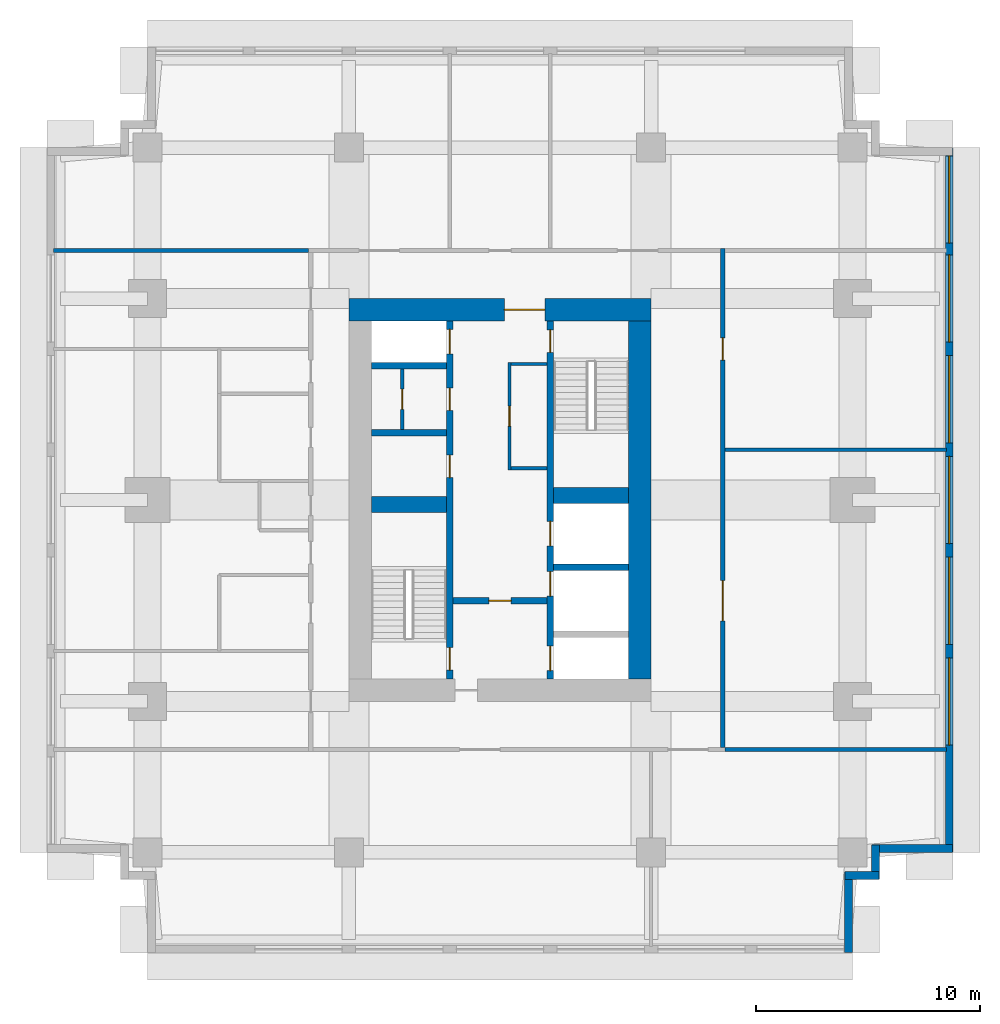
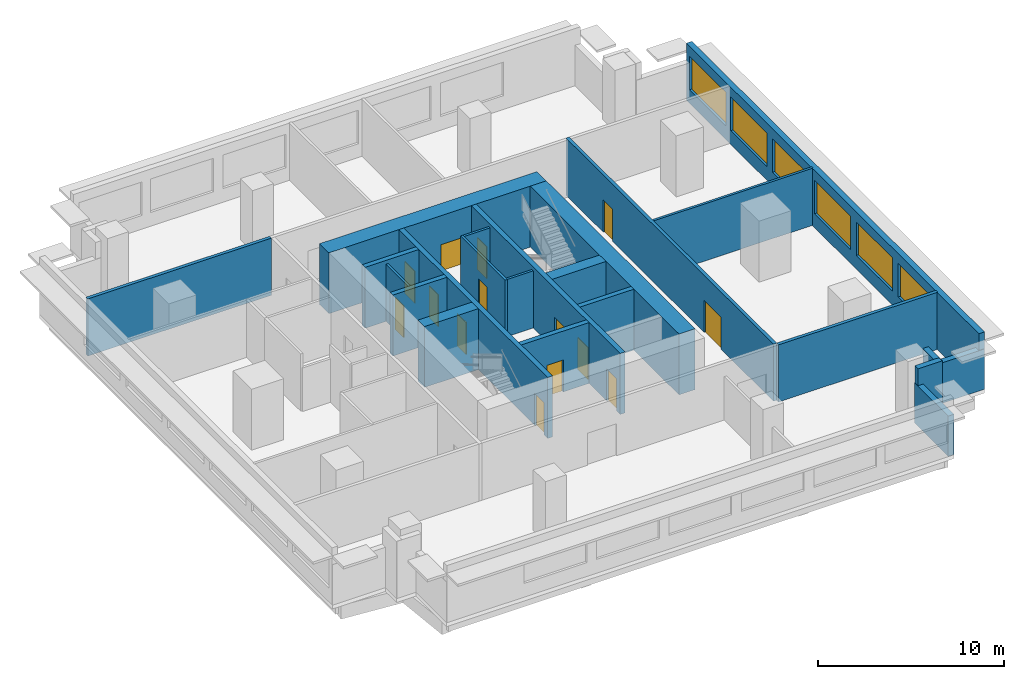
# One storey, part 3 of 5: 23 walls, 14 doors, 6 windows, 20 openings.
"""IFC4 building model written with IfcOpenShell, lengths in metres."""

from ifc_helpers import new_model, si_unit, direction, frame, frame_2d, origin, place, context, subcontext, project, spatial, rectangle, extrude, material, layer, layer_set, type_object, element, fill, save


model = new_model("IFC4")

# Units and contexts
model_context = context("Model", 3, precision=1e-05, world=origin(), true_north=direction((0.0, 1.0)))
body_context = subcontext(model_context, "Body", "Model", "MODEL_VIEW")
ifc_project = project(units=[si_unit("LENGTHUNIT", "METRE"), si_unit("AREAUNIT", "SQUARE_METRE"), si_unit("VOLUMEUNIT", "CUBIC_METRE"), si_unit("PLANEANGLEUNIT", "RADIAN"), si_unit("MASSUNIT", "GRAM", prefix="KILO")], contexts=[model_context])

# Site, building, storey
site_placement = place(None, origin())
site = spatial("IfcSite", under=ifc_project, at=site_placement, CompositionType="ELEMENT")
building_placement = place(site_placement, origin())
building = spatial("IfcBuilding", under=site, at=building_placement, Name="Namib Vertical Campus", CompositionType="ELEMENT")
storey_placement = place(building_placement, frame((0.0, 0.0, 285.0)))
storey = spatial("IfcBuildingStorey", under=building, at=storey_placement, Name="L67", CompositionType="ELEMENT", Elevation=285.0)

# Wall, openings, doors
ifc_material_1 = material(Name="Concrete C60/75", Category="concrete")
ifc_layer_1 = layer(ifc_material_1, 0.300048828125)
ifc_layer_set_1 = layer_set([ifc_layer_1], Name="Concrete C60/75")
wall_type_1 = type_object("IfcWallType", Name="Core inner wall 300", PredefinedType="SHEAR", material=ifc_layer_set_1)
wall_1_placement = place(storey_placement, frame((18.0, 12.25, 0.0), z_axis=(0.0, 0.0, 1.0), x_axis=(0.0, 1.0, 0.0)))
wall_1 = element("IfcWall", 1, at=wall_1_placement, inside=storey, type_object=wall_type_1, Name="Core inner wall A L67 W1", PredefinedType="SHEAR", context=body_context, shape_type="SweptSolid", body=[
    extrude(rectangle(XDim=16.0, YDim=0.300048828125, at=frame_2d((8.0, 0.0))), origin(), (0.0, 0.0, 1.0), 4.0),
])
opening_1_placement = place(wall_1_placement, frame((0.39990234375, 0.0, 0.0)))
opening_1 = element("IfcOpeningElement", 2, at=opening_1_placement, cuts=wall_1, Name="Opening FD1", PredefinedType="OPENING", context=body_context, shape_type="SweptSolid", body=[
    extrude(rectangle(XDim=1.0, YDim=2.10009765625, at=frame_2d((0.5, 1.050048828125))), frame((0.0, 0.159912109375, 0.0), z_axis=(0.0, -1.0, 0.0), x_axis=(1.0, 0.0, 0.0)), (0.0, 0.0, 1.0), 0.320068359375),
])
opening_2_placement = place(wall_1_placement, frame((14.52490234375, 0.0, 0.0)))
opening_2 = element("IfcOpeningElement", 3, at=opening_2_placement, cuts=wall_1, Name="Opening LD1", PredefinedType="OPENING", context=body_context, shape_type="SweptSolid", body=[
    extrude(rectangle(XDim=1.10009765625, YDim=2.10009765625, at=frame_2d((0.550048828125, 1.050048828125))), frame((0.0, 0.159912109375, 0.0), z_axis=(0.0, -1.0, 0.0), x_axis=(1.0, 0.0, 0.0)), (0.0, 0.0, 1.0), 0.320068359375),
])
opening_3_placement = place(wall_1_placement, frame((9.0, 0.0, 0.0)))
opening_3 = element("IfcOpeningElement", 4, at=opening_3_placement, cuts=wall_1, Name="Opening D1", PredefinedType="OPENING", context=body_context, shape_type="SweptSolid", body=[
    extrude(rectangle(XDim=1.0, YDim=2.10009765625, at=frame_2d((0.5, 1.050048828125))), frame((0.0, 0.159912109375, 0.0), z_axis=(0.0, -1.0, 0.0), x_axis=(1.0, 0.0, 0.0)), (0.0, 0.0, 1.0), 0.320068359375),
])
opening_4_placement = place(wall_1_placement, frame((12.0, 0.0, 0.0)))
opening_4 = element("IfcOpeningElement", 5, at=opening_4_placement, cuts=wall_1, Name="Opening D1", PredefinedType="OPENING", context=body_context, shape_type="SweptSolid", body=[
    extrude(rectangle(XDim=1.0, YDim=2.10009765625, at=frame_2d((0.5, 1.050048828125))), frame((0.0, 0.159912109375, 0.0), z_axis=(0.0, -1.0, 0.0), x_axis=(1.0, 0.0, 0.0)), (0.0, 0.0, 1.0), 0.320068359375),
])
ifc_material_2 = material(Name="Timber door leaf", Category="wood")
door_type_1 = type_object("IfcDoorType", Name="Door single 1000x2100", OperationType="SINGLE_SWING_LEFT", PredefinedType="DOOR", material=ifc_material_2)
door_1_placement = place(opening_3_placement, origin())
door_1 = element("IfcDoor", 6, at=door_1_placement, inside=storey, type_object=door_type_1, Name="Door D1 Comms room A L67 P1", OperationType="SINGLE_SWING_LEFT", OverallHeight=2.10009765625, OverallWidth=1.0, PredefinedType="DOOR", context=body_context, shape_type="SweptSolid", body=[
    extrude(rectangle(XDim=1.0, YDim=2.10009765625, at=frame_2d((0.5, 1.050048828125))), frame((0.0, 0.02490234375, 0.0), z_axis=(0.0, -1.0, 0.0), x_axis=(1.0, 0.0, 0.0)), (0.0, 0.0, 1.0), 0.050048828125),
])
fill(opening_3, door_1)
door_2_placement = place(opening_4_placement, origin())
door_2 = element("IfcDoor", 7, at=door_2_placement, inside=storey, type_object=door_type_1, Name="Door D1 Store A L67 P2", OperationType="SINGLE_SWING_LEFT", OverallHeight=2.10009765625, OverallWidth=1.0, PredefinedType="DOOR", context=body_context, shape_type="SweptSolid", body=[
    extrude(rectangle(XDim=1.0, YDim=2.10009765625, at=frame_2d((0.5, 1.050048828125))), frame((0.0, 0.02490234375, 0.0), z_axis=(0.0, -1.0, 0.0), x_axis=(1.0, 0.0, 0.0)), (0.0, 0.0, 1.0), 0.050048828125),
])
fill(opening_4, door_2)
ifc_material_3 = material(Name="Steel fire door", Category="steel")
door_type_2 = type_object("IfcDoorType", Name="Fire door 1000x2100", OperationType="SINGLE_SWING_RIGHT", PredefinedType="DOOR", material=ifc_material_3)
door_3_placement = place(opening_1_placement, origin())
door_3 = element("IfcDoor", 8, at=door_3_placement, inside=storey, type_object=door_type_2, Name="Stair door FD1 A L67 S1", OperationType="SINGLE_SWING_LEFT", OverallHeight=2.10009765625, OverallWidth=1.0, PredefinedType="DOOR", context=body_context, shape_type="SweptSolid", body=[
    extrude(rectangle(XDim=1.0, YDim=2.10009765625, at=frame_2d((0.5, 1.050048828125))), frame((0.0, 0.02490234375, 0.0), z_axis=(0.0, -1.0, 0.0), x_axis=(1.0, 0.0, 0.0)), (0.0, 0.0, 1.0), 0.050048828125),
])
fill(opening_1, door_3)
ifc_material_4 = material(Name="Stainless steel lift door", Category="steel")
door_type_3 = type_object("IfcDoorType", Name="Lift landing door 1100x2100", OperationType="DOUBLE_DOOR_SLIDING", PredefinedType="DOOR", material=ifc_material_4)
door_4_placement = place(opening_2_placement, origin())
door_4 = element("IfcDoor", 9, at=door_4_placement, inside=storey, type_object=door_type_3, Name="Lift landing door LD1 A-P3 L67", OperationType="DOUBLE_DOOR_SLIDING", OverallHeight=2.10009765625, OverallWidth=1.10009765625, PredefinedType="DOOR", context=body_context, shape_type="SweptSolid", body=[
    extrude(rectangle(XDim=1.10009765625, YDim=2.10009765625, at=frame_2d((0.550048828125, 1.050048828125))), frame((0.0, 0.02490234375, 0.0), z_axis=(0.0, -1.0, 0.0), x_axis=(1.0, 0.0, 0.0)), (0.0, 0.0, 1.0), 0.050048828125),
])
fill(opening_2, door_4)

wall_2_placement = place(storey_placement, frame((22.5, 12.25, 0.0), z_axis=(0.0, 0.0, 1.0), x_axis=(0.0, 1.0, 0.0)))
wall_2 = element("IfcWall", 10, at=wall_2_placement, inside=storey, type_object=wall_type_1, Name="Core inner wall A L67 W2", PredefinedType="SHEAR", context=body_context, shape_type="SweptSolid", body=[
    extrude(rectangle(XDim=16.0, YDim=0.300048828125, at=frame_2d((8.0, 0.0))), origin(), (0.0, 0.0, 1.0), 4.0),
])
opening_5_placement = place(wall_2_placement, frame((14.60009765625, 0.0, 0.0)))
opening_5 = element("IfcOpeningElement", 11, at=opening_5_placement, cuts=wall_2, Name="Opening FD1", PredefinedType="OPENING", context=body_context, shape_type="SweptSolid", body=[
    extrude(rectangle(XDim=1.0, YDim=2.10009765625, at=frame_2d((0.5, 1.050048828125))), frame((0.0, 0.159912109375, 0.0), z_axis=(0.0, -1.0, 0.0), x_axis=(1.0, 0.0, 0.0)), (0.0, 0.0, 1.0), 0.320068359375),
])
opening_6_placement = place(wall_2_placement, frame((0.375, 0.0, 0.0)))
opening_6 = element("IfcOpeningElement", 12, at=opening_6_placement, cuts=wall_2, Name="Opening LD1", PredefinedType="OPENING", context=body_context, shape_type="SweptSolid", body=[
    extrude(rectangle(XDim=1.10009765625, YDim=2.10009765625, at=frame_2d((0.550048828125, 1.050048828125))), frame((0.0, 0.159912109375, 0.0), z_axis=(0.0, -1.0, 0.0), x_axis=(1.0, 0.0, 0.0)), (0.0, 0.0, 1.0), 0.320068359375),
])
opening_7_placement = place(wall_2_placement, frame((3.699951171875, 0.0, 0.0)))
opening_7 = element("IfcOpeningElement", 13, at=opening_7_placement, cuts=wall_2, Name="Opening LD1", PredefinedType="OPENING", context=body_context, shape_type="SweptSolid", body=[
    extrude(rectangle(XDim=1.10009765625, YDim=2.10009765625, at=frame_2d((0.550048828125, 1.050048828125))), frame((0.0, 0.159912109375, 0.0), z_axis=(0.0, -1.0, 0.0), x_axis=(1.0, 0.0, 0.0)), (0.0, 0.0, 1.0), 0.320068359375),
])
opening_8_placement = place(wall_2_placement, frame((5.949951171875, 0.0, 0.0)))
opening_8 = element("IfcOpeningElement", 14, at=opening_8_placement, cuts=wall_2, Name="Opening LD1", PredefinedType="OPENING", context=body_context, shape_type="SweptSolid", body=[
    extrude(rectangle(XDim=1.10009765625, YDim=2.10009765625, at=frame_2d((0.550048828125, 1.050048828125))), frame((0.0, 0.159912109375, 0.0), z_axis=(0.0, -1.0, 0.0), x_axis=(1.0, 0.0, 0.0)), (0.0, 0.0, 1.0), 0.320068359375),
])
door_5_placement = place(opening_5_placement, frame((1.0, 0.0, 0.0), z_axis=(0.0, 0.0, 1.0), x_axis=(-1.0, 0.0, 0.0)))
door_5 = element("IfcDoor", 15, at=door_5_placement, inside=storey, type_object=door_type_2, Name="Stair door FD1 A L67 S2", OperationType="SINGLE_SWING_LEFT", OverallHeight=2.10009765625, OverallWidth=1.0, PredefinedType="DOOR", context=body_context, shape_type="SweptSolid", body=[
    extrude(rectangle(XDim=1.0, YDim=2.10009765625, at=frame_2d((0.5, 1.050048828125))), frame((0.0, 0.02490234375, 0.0), z_axis=(0.0, -1.0, 0.0), x_axis=(1.0, 0.0, 0.0)), (0.0, 0.0, 1.0), 0.050048828125),
])
fill(opening_5, door_5)
door_6_placement = place(opening_6_placement, origin())
door_6 = element("IfcDoor", 16, at=door_6_placement, inside=storey, type_object=door_type_3, Name="Lift landing door LD1 A-FL1 L67", OperationType="DOUBLE_DOOR_SLIDING", OverallHeight=2.10009765625, OverallWidth=1.10009765625, PredefinedType="DOOR", context=body_context, shape_type="SweptSolid", body=[
    extrude(rectangle(XDim=1.10009765625, YDim=2.10009765625, at=frame_2d((0.550048828125, 1.050048828125))), frame((0.0, 0.02490234375, 0.0), z_axis=(0.0, -1.0, 0.0), x_axis=(1.0, 0.0, 0.0)), (0.0, 0.0, 1.0), 0.050048828125),
])
fill(opening_6, door_6)
door_7_placement = place(opening_7_placement, origin())
door_7 = element("IfcDoor", 17, at=door_7_placement, inside=storey, type_object=door_type_3, Name="Lift landing door LD1 A-P4 L67", OperationType="DOUBLE_DOOR_SLIDING", OverallHeight=2.10009765625, OverallWidth=1.10009765625, PredefinedType="DOOR", context=body_context, shape_type="SweptSolid", body=[
    extrude(rectangle(XDim=1.10009765625, YDim=2.10009765625, at=frame_2d((0.550048828125, 1.050048828125))), frame((0.0, 0.02490234375, 0.0), z_axis=(0.0, -1.0, 0.0), x_axis=(1.0, 0.0, 0.0)), (0.0, 0.0, 1.0), 0.050048828125),
])
fill(opening_7, door_7)
door_8_placement = place(opening_8_placement, origin())
door_8 = element("IfcDoor", 18, at=door_8_placement, inside=storey, type_object=door_type_3, Name="Lift landing door LD1 A-P5 L67", OperationType="DOUBLE_DOOR_SLIDING", OverallHeight=2.10009765625, OverallWidth=1.10009765625, PredefinedType="DOOR", context=body_context, shape_type="SweptSolid", body=[
    extrude(rectangle(XDim=1.10009765625, YDim=2.10009765625, at=frame_2d((0.550048828125, 1.050048828125))), frame((0.0, 0.02490234375, 0.0), z_axis=(0.0, -1.0, 0.0), x_axis=(1.0, 0.0, 0.0)), (0.0, 0.0, 1.0), 0.050048828125),
])
fill(opening_8, door_8)

# Wall, opening, door
wall_3_placement = place(storey_placement, frame((18.14990234375, 15.75, 0.0), z_axis=(0.0, 0.0, 1.0), x_axis=(1.0, 0.0, 0.0)))
wall_3 = element("IfcWall", 19, at=wall_3_placement, inside=storey, type_object=wall_type_1, Name="Core inner wall A L67 W4", PredefinedType="SHEAR", context=body_context, shape_type="SweptSolid", body=[
    extrude(rectangle(XDim=4.2001953125, YDim=0.300048828125, at=frame_2d((2.10009765625, 0.0))), origin(), (0.0, 0.0, 1.0), 4.0),
])
opening_9_placement = place(wall_3_placement, frame((1.60009765625, 0.0, 0.0)))
opening_9 = element("IfcOpeningElement", 20, at=opening_9_placement, cuts=wall_3, Name="Opening FD5", PredefinedType="OPENING", context=body_context, shape_type="SweptSolid", body=[
    extrude(rectangle(XDim=1.0, YDim=2.10009765625, at=frame_2d((0.5, 1.050048828125))), frame((0.0, 0.159912109375, 0.0), z_axis=(0.0, -1.0, 0.0), x_axis=(1.0, 0.0, 0.0)), (0.0, 0.0, 1.0), 0.320068359375),
])
ifc_material_5 = material(Name="Steel fire door", Category="steel")
door_type_4 = type_object("IfcDoorType", Name="Fire door 1000x2100 120 min", OperationType="SINGLE_SWING_RIGHT", PredefinedType="DOOR", material=ifc_material_5)
door_9_placement = place(opening_9_placement, frame((1.0, 0.0, 0.0), z_axis=(0.0, 0.0, 1.0), x_axis=(-1.0, 0.0, 0.0)))
door_9 = element("IfcDoor", 21, at=door_9_placement, inside=storey, type_object=door_type_4, Name="Lobby door FD5 A L67", OperationType="SINGLE_SWING_RIGHT", OverallHeight=2.10009765625, OverallWidth=1.0, PredefinedType="DOOR", context=body_context, shape_type="SweptSolid", body=[
    extrude(rectangle(XDim=1.0, YDim=2.10009765625, at=frame_2d((0.5, 1.050048828125))), frame((0.0, 0.02490234375, 0.0), z_axis=(0.0, -1.0, 0.0), x_axis=(1.0, 0.0, 0.0)), (0.0, 0.0, 1.0), 0.050048828125),
])
fill(opening_9, door_9)

# Walls
for number, where, z_axis, x_axis, name in (
    (22, (22.64990234375, 17.25, 0.0), (0.0, 0.0, 1.0), (1.0, 0.0, 0.0), "Core inner wall A L67 W6"),
    (23, (14.5, 23.25, 0.0), (0.0, 0.0, 1.0), (1.0, 0.0, 0.0), "Core inner wall A L67 W8"),
    (24, (14.5, 26.25, 0.0), (0.0, 0.0, 1.0), (1.0, 0.0, 0.0), "Core inner wall A L67 W9"),
):
    element("IfcWall", number, at=place(storey_placement, frame(where, z_axis=z_axis, x_axis=x_axis)), inside=storey, type_object=wall_type_1, Name=name, PredefinedType="SHEAR", context=body_context, shape_type="SweptSolid", body=[
        extrude(rectangle(XDim=3.35009765625, YDim=0.300048828125, at=frame_2d((1.675048828125, 0.0))), origin(), (0.0, 0.0, 1.0), 4.0),
    ])
ifc_material_6 = material(Name="Concrete C60/75", Category="concrete")
ifc_layer_2 = layer(ifc_material_6, 0.699951171875)
ifc_layer_set_2 = layer_set([ifc_layer_2], Name="Concrete C60/75")
wall_type_2 = type_object("IfcWallType", Name="Core shear wall 700", PredefinedType="SHEAR", material=ifc_layer_set_2)
for number, where, z_axis, x_axis, name in (
    (25, (14.5, 20.050048828125, 0.0), (0.0, 0.0, 1.0), (1.0, 0.0, 0.0), "Core shear wall A L67 W3"),
    (26, (22.64990234375, 20.449951171875, 0.0), (0.0, 0.0, 1.0), (1.0, 0.0, 0.0), "Core shear wall A L67 W7"),
):
    element("IfcWall", number, at=place(storey_placement, frame(where, z_axis=z_axis, x_axis=x_axis)), inside=storey, type_object=wall_type_2, Name=name, PredefinedType="SHEAR", context=body_context, shape_type="SweptSolid", body=[
        extrude(rectangle(XDim=3.35009765625, YDim=0.699951171875, at=frame_2d((1.675048828125, 0.0))), origin(), (0.0, 0.0, 1.0), 4.0),
    ])
ifc_material_7 = material(Name="Concrete C60/75", Category="concrete")
ifc_layer_3 = layer(ifc_material_7, 1.0)
ifc_layer_set_3 = layer_set([ifc_layer_3], Name="Concrete C60/75")
wall_type_3 = type_object("IfcWallType", Name="Core wall 1000", PredefinedType="SHEAR", material=ifc_layer_set_3)
wall_4_placement = place(storey_placement, frame((26.5, 12.25, 0.0), z_axis=(0.0, 0.0, 1.0), x_axis=(0.0, 1.0, 0.0)))
element("IfcWall", 27, at=wall_4_placement, inside=storey, type_object=wall_type_3, Name="Core wall A L67 2", PredefinedType="SHEAR", context=body_context, shape_type="SweptSolid", body=[
    extrude(rectangle(XDim=16.0, YDim=1.0, at=frame_2d((8.0, 0.0))), origin(), (0.0, 0.0, 1.0), 4.0),
])

# Wall, opening, door
wall_5_placement = place(storey_placement, frame((27.0, 28.75, 0.0), z_axis=(0.0, 0.0, 1.0), x_axis=(-1.0, 0.0, 0.0)))
wall_5 = element("IfcWall", 28, at=wall_5_placement, inside=storey, type_object=wall_type_3, Name="Core wall A L67 3", PredefinedType="SHEAR", context=body_context, shape_type="SweptSolid", body=[
    extrude(rectangle(XDim=13.5, YDim=1.0, at=frame_2d((6.75, 0.0))), origin(), (0.0, 0.0, 1.0), 4.0),
])
opening_10_placement = place(wall_5_placement, frame((4.75, 0.0, 0.0)))
opening_10 = element("IfcOpeningElement", 29, at=opening_10_placement, cuts=wall_5, Name="Opening FD2", PredefinedType="OPENING", context=body_context, shape_type="SweptSolid", body=[
    extrude(rectangle(XDim=1.800048828125, YDim=2.10009765625, at=frame_2d((0.89990234375, 1.050048828125))), frame((0.0, 0.510009765625, 0.0), z_axis=(0.0, -1.0, 0.0), x_axis=(1.0, 0.0, 0.0)), (0.0, 0.0, 1.0), 1.02001953125),
])
ifc_material_8 = material(Name="Steel fire door", Category="steel")
door_type_5 = type_object("IfcDoorType", Name="Fire door double 1800x2100", OperationType="DOUBLE_DOOR_SINGLE_SWING", PredefinedType="DOOR", material=ifc_material_8)
door_10_placement = place(opening_10_placement, origin())
door_10 = element("IfcDoor", 30, at=door_10_placement, inside=storey, type_object=door_type_5, Name="Lift lobby door FD2 A L67", OperationType="DOUBLE_DOOR_SINGLE_SWING", OverallHeight=2.10009765625, OverallWidth=1.800048828125, PredefinedType="DOOR", context=body_context, shape_type="SweptSolid", body=[
    extrude(rectangle(XDim=1.800048828125, YDim=2.10009765625, at=frame_2d((0.89990234375, 1.050048828125))), frame((0.0, 0.02490234375, 0.0), z_axis=(0.0, -1.0, 0.0), x_axis=(1.0, 0.0, 0.0)), (0.0, 0.0, 1.0), 0.050048828125),
])
fill(opening_10, door_10)

# Wall, openings, doors
ifc_material_9 = material(Name="Concrete masonry", Category="masonry")
ifc_layer_4 = layer(ifc_material_9, 0.199951171875)
ifc_layer_set_4 = layer_set([ifc_layer_4], Name="Corridor wall 200")
wall_type_4 = type_object("IfcWallType", Name="Corridor wall 200", PredefinedType="SOLIDWALL", material=ifc_layer_set_4)
wall_6_placement = place(storey_placement, frame((30.199951171875, 9.199951171875, 0.0), z_axis=(0.0, 0.0, 1.0), x_axis=(0.0, 1.0, 0.0)))
wall_6 = element("IfcWall", 31, at=wall_6_placement, inside=storey, type_object=wall_type_4, Name="Corridor wall A L67 CE", PredefinedType="SOLIDWALL", context=body_context, shape_type="SweptSolid", body=[
    extrude(rectangle(XDim=22.300048828125, YDim=0.199951171875, at=frame_2d((11.14990234375, 0.0))), origin(), (0.0, 0.0, 1.0), 3.75),
])
opening_11_placement = place(wall_6_placement, frame((5.64990234375, 0.0, 0.0)))
opening_11 = element("IfcOpeningElement", 32, at=opening_11_placement, cuts=wall_6, Name="Opening CD2", PredefinedType="OPENING", context=body_context, shape_type="SweptSolid", body=[
    extrude(rectangle(XDim=1.800048828125, YDim=2.10009765625, at=frame_2d((0.89990234375, 1.050048828125))), frame((0.0, 0.10986328125, 0.0), z_axis=(0.0, -1.0, 0.0), x_axis=(1.0, 0.0, 0.0)), (0.0, 0.0, 1.0), 0.219970703125),
])
opening_12_placement = place(wall_6_placement, frame((17.300048828125, 0.0, 0.0)))
opening_12 = element("IfcOpeningElement", 33, at=opening_12_placement, cuts=wall_6, Name="Opening CD1", PredefinedType="OPENING", context=body_context, shape_type="SweptSolid", body=[
    extrude(rectangle(XDim=1.0, YDim=2.10009765625, at=frame_2d((0.5, 1.050048828125))), frame((0.0, 0.10986328125, 0.0), z_axis=(0.0, -1.0, 0.0), x_axis=(1.0, 0.0, 0.0)), (0.0, 0.0, 1.0), 0.219970703125),
])
ifc_material_10 = material(Name="Timber fire door leaf", Category="wood")
door_type_6 = type_object("IfcDoorType", Name="Corridor door 1000x2100 20 min", OperationType="SINGLE_SWING_LEFT", PredefinedType="DOOR", material=ifc_material_10)
door_11_placement = place(opening_12_placement, frame((1.0, 0.0, 0.0), z_axis=(0.0, 0.0, 1.0), x_axis=(-1.0, 0.0, 0.0)))
door_11 = element("IfcDoor", 34, at=door_11_placement, inside=storey, type_object=door_type_6, Name="Door CD1 A67-04", OperationType="SINGLE_SWING_RIGHT", OverallHeight=2.10009765625, OverallWidth=1.0, PredefinedType="DOOR", context=body_context, shape_type="SweptSolid", body=[
    extrude(rectangle(XDim=1.0, YDim=2.10009765625, at=frame_2d((0.5, 1.050048828125))), frame((0.0, 0.02490234375, 0.0), z_axis=(0.0, -1.0, 0.0), x_axis=(1.0, 0.0, 0.0)), (0.0, 0.0, 1.0), 0.050048828125),
])
fill(opening_12, door_11)
ifc_material_11 = material(Name="Timber fire door leaf", Category="wood")
door_type_7 = type_object("IfcDoorType", Name="Corridor door double 1800x2100 20 min", OperationType="DOUBLE_DOOR_SINGLE_SWING", PredefinedType="DOOR", material=ifc_material_11)
door_12_placement = place(opening_11_placement, frame((1.800048828125, 0.0, 0.0), z_axis=(0.0, 0.0, 1.0), x_axis=(-1.0, 0.0, 0.0)))
door_12 = element("IfcDoor", 35, at=door_12_placement, inside=storey, type_object=door_type_7, Name="Door CD2 A67-03", OperationType="DOUBLE_DOOR_SINGLE_SWING", OverallHeight=2.10009765625, OverallWidth=1.800048828125, PredefinedType="DOOR", context=body_context, shape_type="SweptSolid", body=[
    extrude(rectangle(XDim=1.800048828125, YDim=2.10009765625, at=frame_2d((0.89990234375, 1.050048828125))), frame((0.0, 0.02490234375, 0.0), z_axis=(0.0, -1.0, 0.0), x_axis=(1.0, 0.0, 0.0)), (0.0, 0.0, 1.0), 0.050048828125),
])
fill(opening_11, door_12)

# Walls
wall_7_placement = place(storey_placement, frame((30.300048828125, 9.10009765625, 0.0), z_axis=(0.0, 0.0, 1.0), x_axis=(1.0, 0.0, 0.0)))
element("IfcWall", 36, at=wall_7_placement, inside=storey, type_object=wall_type_4, Name="Partition A L67 BSE", PredefinedType="SOLIDWALL", context=body_context, shape_type="SweptSolid", body=[
    extrude(rectangle(XDim=9.89990234375, YDim=0.199951171875, at=frame_2d((4.949951171875, 0.0))), origin(), (0.0, 0.0, 1.0), 3.75),
])
wall_8_placement = place(storey_placement, frame((0.300048828125, 31.39990234375, 0.0), z_axis=(0.0, 0.0, 1.0), x_axis=(1.0, 0.0, 0.0)))
element("IfcWall", 37, at=wall_8_placement, inside=storey, type_object=wall_type_4, Name="Partition A L67 BNW", PredefinedType="SOLIDWALL", context=body_context, shape_type="SweptSolid", body=[
    extrude(rectangle(XDim=11.39990234375, YDim=0.199951171875, at=frame_2d((5.699951171875, 0.0))), origin(), (0.0, 0.0, 1.0), 3.75),
])
ifc_material_12 = material(Name="Concrete C40/50", Category="concrete")
ifc_layer_5 = layer(ifc_material_12, 0.35009765625)
ifc_layer_set_5 = layer_set([ifc_layer_5], Name="Concrete C40/50")
wall_type_5 = type_object("IfcWallType", Name="External wall 350 bush-hammered concrete", PredefinedType="STANDARD", material=ifc_layer_set_5)
wall_9_placement = place(storey_placement, frame((35.824951171875, 0.02001953125, 0.0), z_axis=(0.0, 0.0, 1.0), x_axis=(0.0, 1.0, 0.0)))
element("IfcWall", 38, at=wall_9_placement, inside=storey, type_object=wall_type_5, Name="External wall L67 F02", PredefinedType="STANDARD", context=body_context, shape_type="SweptSolid", body=[
    extrude(rectangle(XDim=3.60986328125, YDim=0.35009765625, at=frame_2d((1.804931640625, 0.0))), origin(), (0.0, 0.0, 1.0), 2.64990234375),
])
for number, where, z_axis, x_axis, name in (
    (39, (35.669921875, 3.47509765625, 0.0), (0.0, 0.0, 1.0), (1.0, 0.0, 0.0), "External wall L67 F03"),
    (40, (37.02490234375, 3.320068359375, 0.0), (0.0, 0.0, 1.0), (0.0, 1.0, 0.0), "External wall L67 F04"),
):
    element("IfcWall", number, at=place(storey_placement, frame(where, z_axis=z_axis, x_axis=x_axis)), inside=storey, type_object=wall_type_5, Name=name, PredefinedType="STANDARD", context=body_context, shape_type="SweptSolid", body=[
        extrude(rectangle(XDim=1.510009765625, YDim=0.35009765625, at=frame_2d((0.7548828125, 0.0))), origin(), (0.0, 0.0, 1.0), 3.75),
    ])
wall_10_placement = place(storey_placement, frame((36.8701171875, 4.675048828125, 0.0), z_axis=(0.0, 0.0, 1.0), x_axis=(1.0, 0.0, 0.0)))
element("IfcWall", 41, at=wall_10_placement, inside=storey, type_object=wall_type_5, Name="External wall L67 F05", PredefinedType="STANDARD", context=body_context, shape_type="SweptSolid", body=[
    extrude(rectangle(XDim=3.60986328125, YDim=0.35009765625, at=frame_2d((1.804931640625, 0.0))), origin(), (0.0, 0.0, 1.0), 2.64990234375),
])

# Wall, openings, windows
wall_11_placement = place(storey_placement, frame((40.324951171875, 4.52001953125, 0.0), z_axis=(0.0, 0.0, 1.0), x_axis=(0.0, 1.0, 0.0)))
wall_11 = element("IfcWall", 42, at=wall_11_placement, inside=storey, type_object=wall_type_5, Name="External wall L67 F06", PredefinedType="STANDARD", context=body_context, shape_type="SweptSolid", body=[
    extrude(rectangle(XDim=31.4599609375, YDim=0.35009765625, at=frame_2d((15.72998046875, 0.0))), origin(), (0.0, 0.0, 1.0), 3.75),
])
opening_13_placement = place(wall_11_placement, frame((4.780029296875, 0.0, 0.89990234375)))
opening_13 = element("IfcOpeningElement", 43, at=opening_13_placement, cuts=wall_11, Name="Opening W1", PredefinedType="OPENING", context=body_context, shape_type="SweptSolid", body=[
    extrude(rectangle(XDim=3.89990234375, YDim=2.199951171875, at=frame_2d((1.949951171875, 1.10009765625))), frame((0.0, 0.18505859375, 0.0), z_axis=(0.0, -1.0, 0.0), x_axis=(1.0, 0.0, 0.0)), (0.0, 0.0, 1.0), 0.3701171875),
])
opening_14_placement = place(wall_11_placement, frame((9.280029296875, 0.0, 0.89990234375)))
opening_14 = element("IfcOpeningElement", 44, at=opening_14_placement, cuts=wall_11, Name="Opening W1", PredefinedType="OPENING", context=body_context, shape_type="SweptSolid", body=[
    extrude(rectangle(XDim=3.89990234375, YDim=2.199951171875, at=frame_2d((1.949951171875, 1.10009765625))), frame((0.0, 0.18505859375, 0.0), z_axis=(0.0, -1.0, 0.0), x_axis=(1.0, 0.0, 0.0)), (0.0, 0.0, 1.0), 0.3701171875),
])
opening_15_placement = place(wall_11_placement, frame((13.780029296875, 0.0, 0.89990234375)))
opening_15 = element("IfcOpeningElement", 45, at=opening_15_placement, cuts=wall_11, Name="Opening W1", PredefinedType="OPENING", context=body_context, shape_type="SweptSolid", body=[
    extrude(rectangle(XDim=3.89990234375, YDim=2.199951171875, at=frame_2d((1.949951171875, 1.10009765625))), frame((0.0, 0.18505859375, 0.0), z_axis=(0.0, -1.0, 0.0), x_axis=(1.0, 0.0, 0.0)), (0.0, 0.0, 1.0), 0.3701171875),
])
opening_16_placement = place(wall_11_placement, frame((18.280029296875, 0.0, 0.89990234375)))
opening_16 = element("IfcOpeningElement", 46, at=opening_16_placement, cuts=wall_11, Name="Opening W1", PredefinedType="OPENING", context=body_context, shape_type="SweptSolid", body=[
    extrude(rectangle(XDim=3.89990234375, YDim=2.199951171875, at=frame_2d((1.949951171875, 1.10009765625))), frame((0.0, 0.18505859375, 0.0), z_axis=(0.0, -1.0, 0.0), x_axis=(1.0, 0.0, 0.0)), (0.0, 0.0, 1.0), 0.3701171875),
])
opening_17_placement = place(wall_11_placement, frame((22.780029296875, 0.0, 0.89990234375)))
opening_17 = element("IfcOpeningElement", 47, at=opening_17_placement, cuts=wall_11, Name="Opening W1", PredefinedType="OPENING", context=body_context, shape_type="SweptSolid", body=[
    extrude(rectangle(XDim=3.89990234375, YDim=2.199951171875, at=frame_2d((1.949951171875, 1.10009765625))), frame((0.0, 0.18505859375, 0.0), z_axis=(0.0, -1.0, 0.0), x_axis=(1.0, 0.0, 0.0)), (0.0, 0.0, 1.0), 0.3701171875),
])
opening_18_placement = place(wall_11_placement, frame((27.2099609375, 0.0, 0.89990234375)))
opening_18 = element("IfcOpeningElement", 48, at=opening_18_placement, cuts=wall_11, Name="Opening W1", PredefinedType="OPENING", context=body_context, shape_type="SweptSolid", body=[
    extrude(rectangle(XDim=3.89990234375, YDim=2.199951171875, at=frame_2d((1.949951171875, 1.10009765625))), frame((0.0, 0.18505859375, 0.0), z_axis=(0.0, -1.0, 0.0), x_axis=(1.0, 0.0, 0.0)), (0.0, 0.0, 1.0), 0.3701171875),
])
ifc_material_13 = material(Name="Dark tinted glass in black aluminium frame", Category="aluminium")
window_type = type_object("IfcWindowType", Name="Ribbon window 3900x2200", PartitioningType="SINGLE_PANEL", PredefinedType="WINDOW", material=ifc_material_13)
window_1_placement = place(opening_13_placement, origin())
window_1 = element("IfcWindow", 49, at=window_1_placement, inside=storey, type_object=window_type, Name="Window W1 L67 F06-2", OverallHeight=2.199951171875, OverallWidth=3.89990234375, PartitioningType="SINGLE_PANEL", PredefinedType="WINDOW", context=body_context, shape_type="SweptSolid", body=[
    extrude(rectangle(XDim=3.89990234375, YDim=2.199951171875, at=frame_2d((1.949951171875, 1.10009765625))), frame((0.0, 0.030029296875, 0.0), z_axis=(0.0, -1.0, 0.0), x_axis=(1.0, 0.0, 0.0)), (0.0, 0.0, 1.0), 0.06005859375),
])
fill(opening_13, window_1)
window_2_placement = place(opening_14_placement, origin())
window_2 = element("IfcWindow", 50, at=window_2_placement, inside=storey, type_object=window_type, Name="Window W1 L67 F06-3", OverallHeight=2.199951171875, OverallWidth=3.89990234375, PartitioningType="SINGLE_PANEL", PredefinedType="WINDOW", context=body_context, shape_type="SweptSolid", body=[
    extrude(rectangle(XDim=3.89990234375, YDim=2.199951171875, at=frame_2d((1.949951171875, 1.10009765625))), frame((0.0, 0.030029296875, 0.0), z_axis=(0.0, -1.0, 0.0), x_axis=(1.0, 0.0, 0.0)), (0.0, 0.0, 1.0), 0.06005859375),
])
fill(opening_14, window_2)
window_3_placement = place(opening_15_placement, origin())
window_3 = element("IfcWindow", 51, at=window_3_placement, inside=storey, type_object=window_type, Name="Window W1 L67 F06-4", OverallHeight=2.199951171875, OverallWidth=3.89990234375, PartitioningType="SINGLE_PANEL", PredefinedType="WINDOW", context=body_context, shape_type="SweptSolid", body=[
    extrude(rectangle(XDim=3.89990234375, YDim=2.199951171875, at=frame_2d((1.949951171875, 1.10009765625))), frame((0.0, 0.030029296875, 0.0), z_axis=(0.0, -1.0, 0.0), x_axis=(1.0, 0.0, 0.0)), (0.0, 0.0, 1.0), 0.06005859375),
])
fill(opening_15, window_3)
window_4_placement = place(opening_16_placement, origin())
window_4 = element("IfcWindow", 52, at=window_4_placement, inside=storey, type_object=window_type, Name="Window W1 L67 F06-5", OverallHeight=2.199951171875, OverallWidth=3.89990234375, PartitioningType="SINGLE_PANEL", PredefinedType="WINDOW", context=body_context, shape_type="SweptSolid", body=[
    extrude(rectangle(XDim=3.89990234375, YDim=2.199951171875, at=frame_2d((1.949951171875, 1.10009765625))), frame((0.0, 0.030029296875, 0.0), z_axis=(0.0, -1.0, 0.0), x_axis=(1.0, 0.0, 0.0)), (0.0, 0.0, 1.0), 0.06005859375),
])
fill(opening_16, window_4)
window_5_placement = place(opening_17_placement, origin())
window_5 = element("IfcWindow", 53, at=window_5_placement, inside=storey, type_object=window_type, Name="Window W1 L67 F06-6", OverallHeight=2.199951171875, OverallWidth=3.89990234375, PartitioningType="SINGLE_PANEL", PredefinedType="WINDOW", context=body_context, shape_type="SweptSolid", body=[
    extrude(rectangle(XDim=3.89990234375, YDim=2.199951171875, at=frame_2d((1.949951171875, 1.10009765625))), frame((0.0, 0.030029296875, 0.0), z_axis=(0.0, -1.0, 0.0), x_axis=(1.0, 0.0, 0.0)), (0.0, 0.0, 1.0), 0.06005859375),
])
fill(opening_17, window_5)
window_6_placement = place(opening_18_placement, origin())
window_6 = element("IfcWindow", 54, at=window_6_placement, inside=storey, type_object=window_type, Name="Window W1 L67 F06-7", OverallHeight=2.199951171875, OverallWidth=3.89990234375, PartitioningType="SINGLE_PANEL", PredefinedType="WINDOW", context=body_context, shape_type="SweptSolid", body=[
    extrude(rectangle(XDim=3.89990234375, YDim=2.199951171875, at=frame_2d((1.949951171875, 1.10009765625))), frame((0.0, 0.030029296875, 0.0), z_axis=(0.0, -1.0, 0.0), x_axis=(1.0, 0.0, 0.0)), (0.0, 0.0, 1.0), 0.06005859375),
])
fill(opening_18, window_6)

# Wall, opening, door
ifc_material_14 = material(Name="Gypsum board on steel studs", Category="steel")
ifc_layer_6 = layer(ifc_material_14, 0.14990234375)
ifc_layer_set_6 = layer_set([ifc_layer_6], Name="Gypsum board on steel studs")
wall_type_6 = type_object("IfcWallType", Name="Partition 150", PredefinedType="PARTITIONING", material=ifc_layer_set_6)
wall_12_placement = place(storey_placement, frame((20.675048828125, 21.60009765625, 0.0), z_axis=(0.0, 0.0, 1.0), x_axis=(0.0, 1.0, 0.0)))
wall_12 = element("IfcWall", 55, at=wall_12_placement, inside=storey, type_object=wall_type_6, Name="Partition A L67 Staff pantry front", PredefinedType="PARTITIONING", context=body_context, shape_type="SweptSolid", body=[
    extrude(rectangle(XDim=4.7998046875, YDim=0.14990234375, at=frame_2d((2.39990234375, 0.0))), origin(), (0.0, 0.0, 1.0), 3.75),
])
opening_19_placement = place(wall_12_placement, frame((1.949951171875, 0.0, 0.0)))
opening_19 = element("IfcOpeningElement", 56, at=opening_19_placement, cuts=wall_12, Name="Opening D3", PredefinedType="OPENING", context=body_context, shape_type="SweptSolid", body=[
    extrude(rectangle(XDim=0.89990234375, YDim=2.10009765625, at=frame_2d((0.449951171875, 1.050048828125))), frame((0.0, 0.0849609375, 0.0), z_axis=(0.0, -1.0, 0.0), x_axis=(1.0, 0.0, 0.0)), (0.0, 0.0, 1.0), 0.169921875),
])
ifc_material_15 = material(Name="Timber door leaf", Category="wood")
door_type_8 = type_object("IfcDoorType", Name="Toilet door 900x2100", OperationType="SINGLE_SWING_LEFT", PredefinedType="DOOR", material=ifc_material_15)
door_13_placement = place(opening_19_placement, frame((0.89990234375, 0.0, 0.0), z_axis=(0.0, 0.0, 1.0), x_axis=(-1.0, 0.0, 0.0)))
door_13 = element("IfcDoor", 57, at=door_13_placement, inside=storey, type_object=door_type_8, Name="Door D3 Staff pantry A L67", OperationType="SINGLE_SWING_RIGHT", OverallHeight=2.10009765625, OverallWidth=0.89990234375, PredefinedType="DOOR", context=body_context, shape_type="SweptSolid", body=[
    extrude(rectangle(XDim=0.89990234375, YDim=2.10009765625, at=frame_2d((0.449951171875, 1.050048828125))), frame((0.0, 0.02490234375, 0.0), z_axis=(0.0, -1.0, 0.0), x_axis=(1.0, 0.0, 0.0)), (0.0, 0.0, 1.0), 0.050048828125),
])
fill(opening_19, door_13)

# Walls
for number, where, z_axis, x_axis, name in (
    (58, (20.75, 21.675048828125, 0.0), (0.0, 0.0, 1.0), (1.0, 0.0, 0.0), "Partition A L67 Staff pantry end 1"),
    (59, (20.75, 26.324951171875, 0.0), (0.0, 0.0, 1.0), (1.0, 0.0, 0.0), "Partition A L67 Staff pantry end 2"),
):
    element("IfcWall", number, at=place(storey_placement, frame(where, z_axis=z_axis, x_axis=x_axis)), inside=storey, type_object=wall_type_6, Name=name, PredefinedType="PARTITIONING", context=body_context, shape_type="SweptSolid", body=[
        extrude(rectangle(XDim=1.60009765625, YDim=0.14990234375, at=frame_2d((0.800048828125, 0.0))), origin(), (0.0, 0.0, 1.0), 3.75),
    ])

# Wall, opening, door
wall_13_placement = place(storey_placement, frame((15.875, 23.39990234375, 0.0), z_axis=(0.0, 0.0, 1.0), x_axis=(0.0, 1.0, 0.0)))
wall_13 = element("IfcWall", 60, at=wall_13_placement, inside=storey, type_object=wall_type_6, Name="Partition A L67 Store P2 back", PredefinedType="PARTITIONING", context=body_context, shape_type="SweptSolid", body=[
    extrude(rectangle(XDim=2.7001953125, YDim=0.14990234375, at=frame_2d((1.35009765625, 0.0))), origin(), (0.0, 0.0, 1.0), 3.75),
])
opening_20_placement = place(wall_13_placement, frame((0.89990234375, 0.0, 0.0)))
opening_20 = element("IfcOpeningElement", 61, at=opening_20_placement, cuts=wall_13, Name="Opening D3", PredefinedType="OPENING", context=body_context, shape_type="SweptSolid", body=[
    extrude(rectangle(XDim=0.89990234375, YDim=2.10009765625, at=frame_2d((0.449951171875, 1.050048828125))), frame((0.0, 0.0849609375, 0.0), z_axis=(0.0, -1.0, 0.0), x_axis=(1.0, 0.0, 0.0)), (0.0, 0.0, 1.0), 0.169921875),
])
door_14_placement = place(opening_20_placement, origin())
door_14 = element("IfcDoor", 62, at=door_14_placement, inside=storey, type_object=door_type_8, Name="Door D3 Store A L67 P2", OperationType="SINGLE_SWING_LEFT", OverallHeight=2.10009765625, OverallWidth=0.89990234375, PredefinedType="DOOR", context=body_context, shape_type="SweptSolid", body=[
    extrude(rectangle(XDim=0.89990234375, YDim=2.10009765625, at=frame_2d((0.449951171875, 1.050048828125))), frame((0.0, 0.02490234375, 0.0), z_axis=(0.0, -1.0, 0.0), x_axis=(1.0, 0.0, 0.0)), (0.0, 0.0, 1.0), 0.050048828125),
])
fill(opening_20, door_14)

# Wall
wall_14_placement = place(storey_placement, frame((30.300048828125, 22.5, 0.0), z_axis=(0.0, 0.0, 1.0), x_axis=(1.0, 0.0, 0.0)))
element("IfcWall", 63, at=wall_14_placement, inside=storey, type_object=wall_type_6, Name="Partition A L67 PE1", PredefinedType="PARTITIONING", context=body_context, shape_type="SweptSolid", body=[
    extrude(rectangle(XDim=9.89990234375, YDim=0.14990234375, at=frame_2d((4.949951171875, 0.0))), origin(), (0.0, 0.0, 1.0), 3.75),
])

save(model, "model.ifc")
